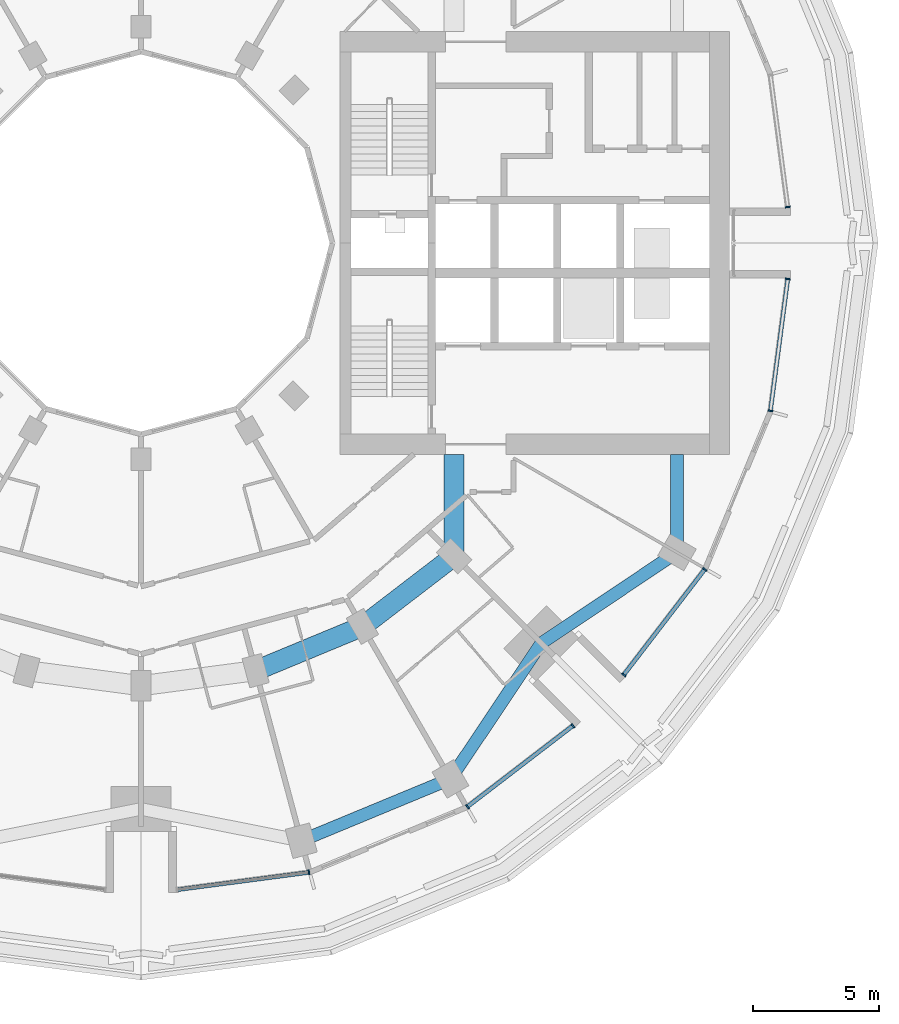
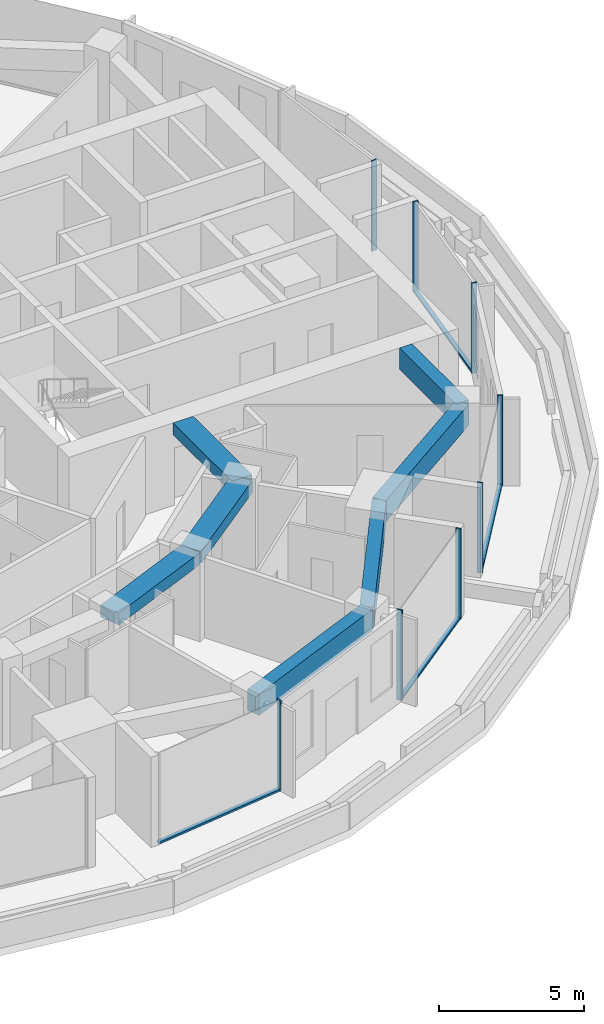
# One storey, part 4 of 19: 12 members, 7 beams, 5 elements without a shape of their own.
"""IFC4 building model written with IfcOpenShell, lengths in metres."""

from ifc_helpers import new_model, si_unit, direction, frame, origin, origin_2d, place, context, subcontext, project, spatial, rectangle, extrude, material, layer, layer_set, material_profile, profile_set, type_object, element, aggregate, save


model = new_model("IFC4")

# Units and contexts
model_context = context("Model", 3, precision=1e-05, world=origin(), true_north=direction((0.0, 1.0)))
body_context = subcontext(model_context, "Body", "Model", "MODEL_VIEW")
ifc_project = project(units=[si_unit("LENGTHUNIT", "METRE"), si_unit("AREAUNIT", "SQUARE_METRE"), si_unit("VOLUMEUNIT", "CUBIC_METRE"), si_unit("PLANEANGLEUNIT", "RADIAN"), si_unit("MASSUNIT", "GRAM", prefix="KILO")], contexts=[model_context])

# Site, building, storey
site_placement = place(None, origin())
site = spatial("IfcSite", under=ifc_project, at=site_placement, CompositionType="ELEMENT")
building_placement = place(site_placement, origin())
building = spatial("IfcBuilding", under=site, at=building_placement, Name="Torre Brocal", CompositionType="ELEMENT")
storey_placement = place(building_placement, frame((0.0, 0.0, 28.800048828125)))
storey = spatial("IfcBuildingStorey", under=building, at=storey_placement, Name="L05", CompositionType="ELEMENT", Elevation=28.800048828125)

# Curtain wall, member
ifc_material_1 = material(Name="Aluminium and glass", Category="aluminium")
ifc_layer_1 = layer(ifc_material_1, 0.199951171875)
ifc_layer_set_1 = layer_set([ifc_layer_1], Name="Aluminium and glass")
curtain_wall_type_1 = type_object("IfcCurtainWallType", Name="CW-1 CURTAIN WALL 3800 HIGH", PredefinedType="NOTDEFINED", material=ifc_layer_set_1)
curtain_wall_1_placement = place(storey_placement, origin())
curtain_wall_1 = element("IfcCurtainWall", 1, at=curtain_wall_1_placement, inside=storey, type_object=curtain_wall_type_1, Name="CW-1 RUN 19", PredefinedType="NOTDEFINED")
ifc_material_2 = material(Name="Aluminium, dark anodised", Category="aluminium")
ifc_material_profile_1 = material_profile(ifc_material_2, rectangle(XDim=0.199951171875, YDim=0.06005859375, at=origin_2d()), Name="CW-1 MULLION 60X200")
ifc_profile_set_1 = profile_set([ifc_material_profile_1], Name="Aluminium, dark anodised")
member_type_1 = type_object("IfcMemberType", Name="CW-1 MULLION 60X200", PredefinedType="MULLION", material=ifc_profile_set_1)
member_1_placement = place(storey_placement, frame((86.67333984375, 49.9794921875, 0.0), z_axis=(0.0, 0.0, 1.0), x_axis=(-0.13052619222, 0.991444861374, 0.0)))
member_1 = element("IfcMember", 2, at=member_1_placement, type_object=member_type_1, Name="CW1-1 mullion 2", PredefinedType="MULLION", context=body_context, shape_type="SweptSolid", body=[
    extrude(rectangle(XDim=0.199951171875, YDim=0.06005859375, at=origin_2d()), origin(), (0.0, 0.0, 1.0), 3.800048828125),
])

# Curtain wall, members
curtain_wall_2_placement = place(storey_placement, origin())
curtain_wall_2 = element("IfcCurtainWall", 3, at=curtain_wall_2_placement, inside=storey, type_object=curtain_wall_type_1, Name="CW-1 RUN 21", PredefinedType="NOTDEFINED")
member_2_placement = place(storey_placement, frame((92.973388671875, 52.5888671875, 0.0), z_axis=(0.0, 0.0, 1.0), x_axis=(-0.60876142905, 0.793353340259, 0.0)))
member_2 = element("IfcMember", 4, at=member_2_placement, type_object=member_type_1, Name="CW1-1 mullion 1", PredefinedType="MULLION", context=body_context, shape_type="SweptSolid", body=[
    extrude(rectangle(XDim=0.199951171875, YDim=0.06005859375, at=origin_2d()), origin(), (0.0, 0.0, 1.0), 3.800048828125),
])
member_3_placement = place(storey_placement, frame((97.16943359375, 55.80859375, 0.0), z_axis=(0.0, 0.0, 1.0), x_axis=(-0.60876142905, 0.793353340259, 0.0)))
member_3 = element("IfcMember", 5, at=member_3_placement, type_object=member_type_1, Name="CW1-1 mullion 2", PredefinedType="MULLION", context=body_context, shape_type="SweptSolid", body=[
    extrude(rectangle(XDim=0.199951171875, YDim=0.06005859375, at=origin_2d()), origin(), (0.0, 0.0, 1.0), 3.800048828125),
])

curtain_wall_3_placement = place(storey_placement, origin())
curtain_wall_3 = element("IfcCurtainWall", 6, at=curtain_wall_3_placement, inside=storey, type_object=curtain_wall_type_1, Name="CW-1 RUN 22", PredefinedType="NOTDEFINED")
member_4_placement = place(storey_placement, frame((99.19140625, 57.83056640625, 0.0), z_axis=(0.0, 0.0, 1.0), x_axis=(-0.793353340259, 0.60876142905, 0.0)))
member_4 = element("IfcMember", 7, at=member_4_placement, type_object=member_type_1, Name="CW1-1 mullion 1", PredefinedType="MULLION", context=body_context, shape_type="SweptSolid", body=[
    extrude(rectangle(XDim=0.199951171875, YDim=0.06005859375, at=origin_2d()), origin(), (0.0, 0.0, 1.0), 3.800048828125),
])
member_5_placement = place(storey_placement, frame((102.4111328125, 62.026611328125, 0.0), z_axis=(0.0, 0.0, 1.0), x_axis=(-0.793353340259, 0.60876142905, 0.0)))
member_5 = element("IfcMember", 8, at=member_5_placement, type_object=member_type_1, Name="CW1-1 mullion 2", PredefinedType="MULLION", context=body_context, shape_type="SweptSolid", body=[
    extrude(rectangle(XDim=0.199951171875, YDim=0.06005859375, at=origin_2d()), origin(), (0.0, 0.0, 1.0), 3.800048828125),
])

# Member
ifc_material_3 = material(Name="Aluminium, dark anodised", Category="aluminium")
ifc_material_profile_2 = material_profile(ifc_material_3, rectangle(XDim=0.159912109375, YDim=0.080078125, at=origin_2d()), Name="CW-1 TRANSOM 160X80")
ifc_profile_set_2 = profile_set([ifc_material_profile_2], Name="Aluminium, dark anodised")
member_type_2 = type_object("IfcMemberType", Name="CW-1 TRANSOM 160X80", PredefinedType="USERDEFINED", material=ifc_profile_set_2)
member_6_placement = place(storey_placement, frame((81.45947265625, 49.29296875, 0.0400390625), z_axis=(0.991442690863, 0.130542677827, 0.0), x_axis=(-0.130542677827, 0.991442690863, 0.0)))
member_6 = element("IfcMember", 9, at=member_6_placement, type_object=member_type_2, Name="CW1-1 transom 1.1", ObjectType="TRANSOM", PredefinedType="USERDEFINED", context=body_context, shape_type="SweptSolid", body=[
    extrude(rectangle(XDim=0.159912109375, YDim=0.080078125, at=origin_2d()), origin(), (0.0, 0.0, 1.0), 5.22900390625),
])

aggregate(curtain_wall_1, [member_1, member_6])

member_7_placement = place(storey_placement, frame((92.9970703125, 52.607177734375, 0.0400390625), z_axis=(0.79336281513, 0.60874908096, 0.0), x_axis=(-0.60874908096, 0.79336281513, 0.0)))
member_7 = element("IfcMember", 10, at=member_7_placement, type_object=member_type_2, Name="CW1-1 transom 1.1", ObjectType="TRANSOM", PredefinedType="USERDEFINED", context=body_context, shape_type="SweptSolid", body=[
    extrude(rectangle(XDim=0.159912109375, YDim=0.080078125, at=origin_2d()), origin(), (0.0, 0.0, 1.0), 5.22900390625),
])

aggregate(curtain_wall_2, [member_2, member_3, member_7])

member_8_placement = place(storey_placement, frame((99.209716796875, 57.8544921875, 0.0400390625), z_axis=(0.60874908096, 0.79336281513, 0.0), x_axis=(-0.79336281513, 0.60874908096, 0.0)))
member_8 = element("IfcMember", 11, at=member_8_placement, type_object=member_type_2, Name="CW1-1 transom 1.1", ObjectType="TRANSOM", PredefinedType="USERDEFINED", context=body_context, shape_type="SweptSolid", body=[
    extrude(rectangle(XDim=0.159912109375, YDim=0.080078125, at=origin_2d()), origin(), (0.0, 0.0, 1.0), 5.22900390625),
])

aggregate(curtain_wall_3, [member_4, member_5, member_8])

# Curtain wall, member
ifc_material_4 = material(Name="Aluminium and glass", Category="aluminium")
ifc_layer_2 = layer(ifc_material_4, 0.199951171875)
ifc_layer_set_2 = layer_set([ifc_layer_2], Name="Aluminium and glass")
curtain_wall_type_2 = type_object("IfcCurtainWallType", Name="CW-1B CURTAIN WALL 3800 HIGH", PredefinedType="NOTDEFINED", material=ifc_layer_set_2)
curtain_wall_4_placement = place(storey_placement, origin())
curtain_wall_4 = element("IfcCurtainWall", 12, at=curtain_wall_4_placement, inside=storey, type_object=curtain_wall_type_2, Name="CW-1B RUN 1", PredefinedType="NOTDEFINED")
ifc_material_5 = material(Name="Aluminium, dark anodised", Category="aluminium")
ifc_material_profile_3 = material_profile(ifc_material_5, rectangle(XDim=0.199951171875, YDim=0.06005859375, at=origin_2d()), Name="CW-1B MULLION 60X200")
ifc_profile_set_3 = profile_set([ifc_material_profile_3], Name="Aluminium, dark anodised")
member_type_3 = type_object("IfcMemberType", Name="CW-1B MULLION 60X200", PredefinedType="MULLION", material=ifc_profile_set_3)
member_9_placement = place(storey_placement, frame((105.7109375, 76.4296875, 0.0), z_axis=(0.0, 0.0, 1.0), x_axis=(-0.991444861374, -0.13052619222, 0.0)))
member_9 = element("IfcMember", 13, at=member_9_placement, type_object=member_type_3, Name="CW1B-1 mullion 1", PredefinedType="MULLION", context=body_context, shape_type="SweptSolid", body=[
    extrude(rectangle(XDim=0.199951171875, YDim=0.06005859375, at=origin_2d()), origin(), (0.0, 0.0, 1.0), 3.800048828125),
])
aggregate(curtain_wall_4, [member_9])

# Curtain wall, members
curtain_wall_5_placement = place(storey_placement, origin())
curtain_wall_5 = element("IfcCurtainWall", 14, at=curtain_wall_5_placement, inside=storey, type_object=curtain_wall_type_2, Name="CW-1B RUN 24", PredefinedType="NOTDEFINED")
member_10_placement = place(storey_placement, frame((105.0205078125, 68.32666015625, 0.0), z_axis=(0.0, 0.0, 1.0), x_axis=(-0.991444861374, 0.13052619222, 0.0)))
member_10 = element("IfcMember", 15, at=member_10_placement, type_object=member_type_3, Name="CW1B-1 mullion 1", PredefinedType="MULLION", context=body_context, shape_type="SweptSolid", body=[
    extrude(rectangle(XDim=0.199951171875, YDim=0.06005859375, at=origin_2d()), origin(), (0.0, 0.0, 1.0), 3.800048828125),
])
member_11_placement = place(storey_placement, frame((105.7109375, 73.5703125, 0.0), z_axis=(0.0, 0.0, 1.0), x_axis=(-0.991444861374, 0.13052619222, 0.0)))
member_11 = element("IfcMember", 16, at=member_11_placement, type_object=member_type_3, Name="CW1B-1 mullion 2", PredefinedType="MULLION", context=body_context, shape_type="SweptSolid", body=[
    extrude(rectangle(XDim=0.199951171875, YDim=0.06005859375, at=origin_2d()), origin(), (0.0, 0.0, 1.0), 3.800048828125),
])
ifc_material_6 = material(Name="Aluminium, dark anodised", Category="aluminium")
ifc_material_profile_4 = material_profile(ifc_material_6, rectangle(XDim=0.159912109375, YDim=0.080078125, at=origin_2d()), Name="CW-1B TRANSOM 160X80")
ifc_profile_set_4 = profile_set([ifc_material_profile_4], Name="Aluminium, dark anodised")
member_type_4 = type_object("IfcMemberType", Name="CW-1B TRANSOM 160X80", PredefinedType="USERDEFINED", material=ifc_profile_set_4)
member_12_placement = place(storey_placement, frame((105.0244140625, 68.356201171875, 0.0400390625), z_axis=(0.130542677827, 0.991442690863, 0.0), x_axis=(-0.991442690863, 0.130542677827, 0.0)))
member_12 = element("IfcMember", 17, at=member_12_placement, type_object=member_type_4, Name="CW1B-1 transom 1.1", ObjectType="TRANSOM", PredefinedType="USERDEFINED", context=body_context, shape_type="SweptSolid", body=[
    extrude(rectangle(XDim=0.159912109375, YDim=0.080078125, at=origin_2d()), origin(), (0.0, 0.0, 1.0), 5.22900390625),
])
aggregate(curtain_wall_5, [member_10, member_11, member_12])

# Beams
ifc_material_7 = material(Name="Concrete C50", Category="concrete")
ifc_material_profile_5 = material_profile(ifc_material_7, rectangle(XDim=0.800048828125, YDim=0.5, at=origin_2d()), Name="RC 800X500")
ifc_profile_set_5 = profile_set([ifc_material_profile_5], Name="Concrete C50")
beam_type_1 = type_object("IfcBeamType", Name="RC BEAM 800X500 C50 TOP 3480", PredefinedType="BEAM", material=ifc_profile_set_5)
beam_1_placement = place(storey_placement, frame((84.55517578125, 57.999755859375, 3.22998046875), z_axis=(0.923878240166, 0.382686552348, 0.0), x_axis=(-0.382686552348, 0.923878240166, 0.0)))
element("IfcBeam", 18, at=beam_1_placement, inside=storey, type_object=beam_type_1, Name="Beam BT-19", PredefinedType="BEAM", context=body_context, shape_type="SweptSolid", body=[
    extrude(rectangle(XDim=0.800048828125, YDim=0.5, at=origin_2d()), origin(), (0.0, 0.0, 1.0), 4.5947265625),
])
beam_2_placement = place(storey_placement, frame((88.800048828125, 59.758056640625, 3.22998046875), z_axis=(0.793358265959, 0.6087550097, 0.0), x_axis=(-0.6087550097, 0.793358265959, 0.0)))
element("IfcBeam", 19, at=beam_2_placement, inside=storey, type_object=beam_type_1, Name="Beam BT-19", PredefinedType="BEAM", context=body_context, shape_type="SweptSolid", body=[
    extrude(rectangle(XDim=0.800048828125, YDim=0.5, at=origin_2d()), origin(), (0.0, 0.0, 1.0), 4.594482421875),
])
beam_3_placement = place(storey_placement, frame((92.445068359375, 62.554931640625, 3.22998046875), z_axis=(0.0, 1.0, 0.0), x_axis=(-1.0, 0.0, 0.0)))
element("IfcBeam", 20, at=beam_3_placement, inside=storey, type_object=beam_type_1, Name="Beam BT-19", PredefinedType="BEAM", context=body_context, shape_type="SweptSolid", body=[
    extrude(rectangle(XDim=0.800048828125, YDim=0.5, at=origin_2d()), origin(), (0.0, 0.0, 1.0), 4.045166015625),
])
ifc_material_8 = material(Name="Concrete C50", Category="concrete")
ifc_material_profile_6 = material_profile(ifc_material_8, rectangle(XDim=0.5, YDim=0.89990234375, at=origin_2d()), Name="RC 500X900")
ifc_profile_set_6 = profile_set([ifc_material_profile_6], Name="Concrete C50")
beam_type_2 = type_object("IfcBeamType", Name="RC SPANDREL BEAM 500X900 C50 TOP 3480", PredefinedType="SPANDREL", material=ifc_profile_set_6)
beam_4_placement = place(storey_placement, frame((86.366943359375, 51.23828125, 3.030029296875), z_axis=(0.923882462513, 0.382676358639, 0.0), x_axis=(-0.382676358639, 0.923882462513, 0.0)))
element("IfcBeam", 21, at=beam_4_placement, inside=storey, type_object=beam_type_2, Name="Beam BT-20", PredefinedType="SPANDREL", context=body_context, shape_type="SweptSolid", body=[
    extrude(rectangle(XDim=0.5, YDim=0.89990234375, at=origin_2d()), origin(), (0.0, 0.0, 1.0), 6.421875),
])
for number, where, z_axis, x_axis, name in (
    (22, (92.300048828125, 53.69580078125, 3.030029296875), (0.556157602282, 0.831076844476, 0.0), (-0.831076844476, 0.556157602282, 0.0), "Beam BT-20"),
    (23, (95.909912109375, 59.090087890625, 3.030029296875), (0.831076844476, 0.556157602282, 0.0), (-0.556157602282, 0.831076844476, 0.0), "Beam BT-20"),
):
    element("IfcBeam", number, at=place(storey_placement, frame(where, z_axis=z_axis, x_axis=x_axis)), inside=storey, type_object=beam_type_2, Name=name, PredefinedType="SPANDREL", context=body_context, shape_type="SweptSolid", body=[
        extrude(rectangle(XDim=0.5, YDim=0.89990234375, at=origin_2d()), origin(), (0.0, 0.0, 1.0), 6.49072265625),
    ])
beam_5_placement = place(storey_placement, frame((101.30419921875, 62.699951171875, 3.030029296875), z_axis=(0.0, 1.0, 0.0), x_axis=(-1.0, 0.0, 0.0)))
element("IfcBeam", 24, at=beam_5_placement, inside=storey, type_object=beam_type_2, Name="Beam BT-20", PredefinedType="SPANDREL", context=body_context, shape_type="SweptSolid", body=[
    extrude(rectangle(XDim=0.5, YDim=0.89990234375, at=origin_2d()), origin(), (0.0, 0.0, 1.0), 3.900146484375),
])

save(model, "model.ifc")
